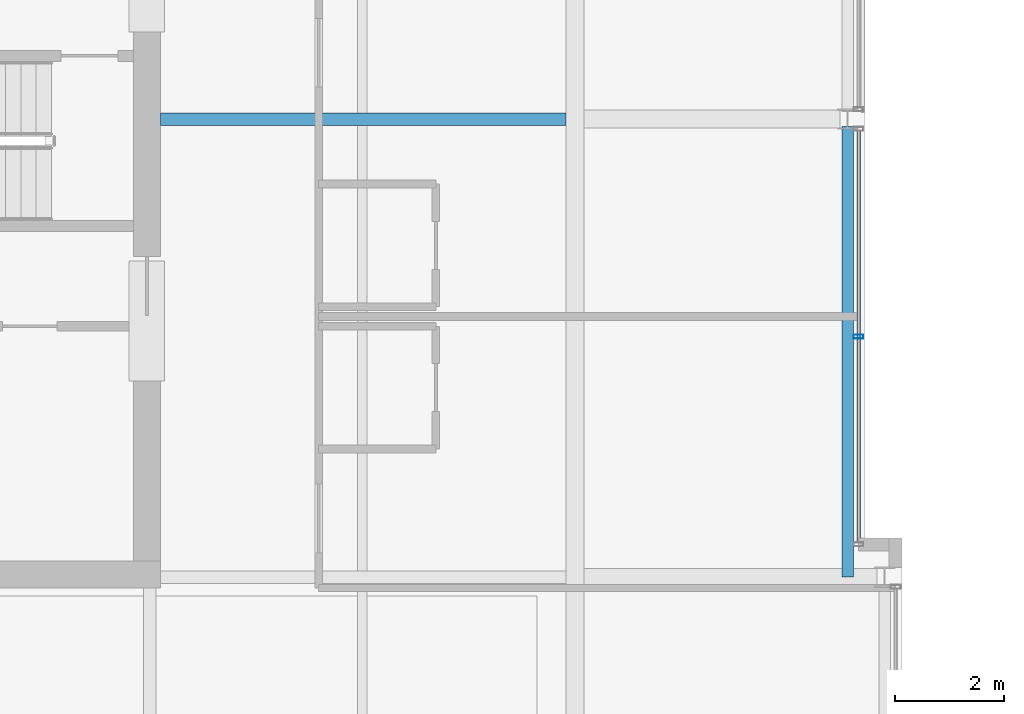
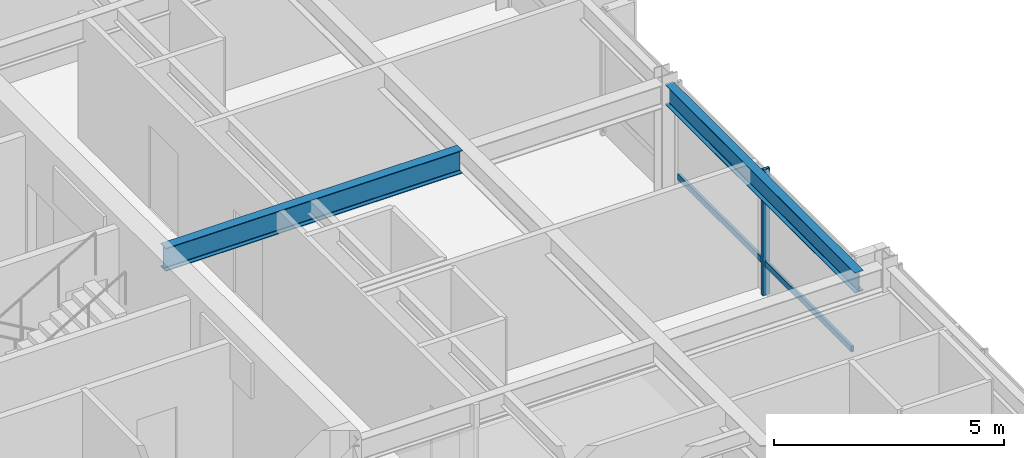
# One storey, part 15 of 33: 2 beams, 2 members, 1 element without a shape of its own.
"""IFC4 building model written with IfcOpenShell, lengths in metres."""

from ifc_helpers import new_model, si_unit, direction, frame, origin, origin_2d, place, context, subcontext, project, spatial, hollow_rectangle, i_section, extrude, material, layer, layer_set, material_profile, profile_set, type_object, element, aggregate, save


model = new_model("IFC4")

# Units and contexts
model_context = context("Model", 3, precision=1e-05, world=origin(), true_north=direction((0.0, 1.0)))
body_context = subcontext(model_context, "Body", "Model", "MODEL_VIEW")
ifc_project = project(units=[si_unit("LENGTHUNIT", "METRE"), si_unit("AREAUNIT", "SQUARE_METRE"), si_unit("VOLUMEUNIT", "CUBIC_METRE"), si_unit("PLANEANGLEUNIT", "RADIAN"), si_unit("MASSUNIT", "GRAM", prefix="KILO")], contexts=[model_context])

# Site, building, storey
site_placement = place(None, origin())
site = spatial("IfcSite", under=ifc_project, at=site_placement, CompositionType="ELEMENT")
building_placement = place(site_placement, origin())
building = spatial("IfcBuilding", under=site, at=building_placement, Name="Drelvath Grand Hotel", CompositionType="ELEMENT")
storey_placement = place(building_placement, frame((0.0, 0.0, 248.300048828125)))
storey = spatial("IfcBuildingStorey", under=building, at=storey_placement, Name="L65", CompositionType="ELEMENT", Elevation=248.300048828125)

# Curtain wall, members
ifc_material_1 = material(Name="Platinum-Mist Anodised Aluminium Frame", Category="aluminium")
ifc_layer = layer(ifc_material_1, 0.199951171875)
ifc_layer_set = layer_set([ifc_layer], Name="Platinum-Mist Anodised Aluminium Frame")
curtain_wall_type = type_object("IfcCurtainWallType", Name="Stick Curtain Wall CW-05 Platinum Mist High-Rise", PredefinedType="NOTDEFINED", material=ifc_layer_set)
curtain_wall_placement = place(storey_placement, origin())
curtain_wall = element("IfcCurtainWall", 1, at=curtain_wall_placement, inside=storey, type_object=curtain_wall_type, Name="L65 CW-05 Curtain Wall CW05-L65-EM1", PredefinedType="NOTDEFINED")
ifc_material_profile_1 = material_profile(ifc_material_1, hollow_rectangle(XDim=0.06494140625, YDim=0.159912109375, WallThickness=0.00390625, at=origin_2d()), Name="HSS160X65X4")
ifc_profile_set_1 = profile_set([ifc_material_profile_1], Name="Platinum-Mist Anodised Aluminium Frame")
member_type_1 = type_object("IfcMemberType", Name="Curtain Wall Horizontal Transom CW-05 HSS160X65X4", PredefinedType="USERDEFINED", material=ifc_profile_set_1)
member_1_placement = place(storey_placement, frame((21.39990234375, 26.78173828125, 0.8349609375), z_axis=(0.0, -1.0, 0.0), x_axis=(1.0, 0.0, 0.0)))
member_1 = element("IfcMember", 2, at=member_1_placement, type_object=member_type_1, Name="CW05-L65-EM1 Sill Transom", ObjectType="TRANSOM", PredefinedType="USERDEFINED", context=body_context, shape_type="SweptSolid", body=[
    extrude(hollow_rectangle(XDim=0.06494140625, YDim=0.159912109375, WallThickness=0.00390625, at=origin_2d()), origin(), (0.0, 0.0, 1.0), 7.541748046875),
])
ifc_material_profile_2 = material_profile(ifc_material_1, hollow_rectangle(XDim=0.074951171875, YDim=0.179931640625, WallThickness=0.0048828125, at=origin_2d()), Name="HSS180X75X5")
ifc_profile_set_2 = profile_set([ifc_material_profile_2], Name="Platinum-Mist Anodised Aluminium Frame")
member_type_2 = type_object("IfcMemberType", Name="Curtain Wall Vertical Mullion CW-05 HSS180X75X5", PredefinedType="MULLION", material=ifc_profile_set_2)
member_2_placement = place(storey_placement, frame((21.39990234375, 23.010986328125, 0.0), z_axis=(0.0, 0.0, 1.0), x_axis=(0.0, 1.0, 0.0)))
member_2 = element("IfcMember", 3, at=member_2_placement, type_object=member_type_2, Name="CW05-L65-EM1 Mullion 2", PredefinedType="MULLION", context=body_context, shape_type="SweptSolid", body=[
    extrude(hollow_rectangle(XDim=0.074951171875, YDim=0.179931640625, WallThickness=0.0048828125, at=origin_2d()), origin(), (0.0, 0.0, 1.0), 3.33984375),
])
aggregate(curtain_wall, [member_2, member_1])

# Beams
ifc_material_2 = material(Name="Steel ASTM A992 Gr 50", Category="steel")
ifc_material_profile_3 = material_profile(ifc_material_2, i_section(OverallWidth=0.210205078125, OverallDepth=0.53662109375, WebThickness=0.010986328125, FlangeThickness=0.017333984375, FilletRadius=0.01806640625, at=origin_2d()), Name="W21X68")
ifc_profile_set_3 = profile_set([ifc_material_profile_3], Name="Steel ASTM A992 Gr 50")
beam_type_1 = type_object("IfcBeamType", Name="Perimeter Spandrel Beam W21X68", PredefinedType="SPANDREL", material=ifc_profile_set_3)
beam_1_placement = place(storey_placement, frame((21.199951171875, 18.60009765625, 3.071533203125), z_axis=(0.0, 1.0, 0.0), x_axis=(-1.0, 0.0, 0.0)))
element("IfcBeam", 4, at=beam_1_placement, inside=storey, type_object=beam_type_1, Name="L65 Spandrel East Mid S", PredefinedType="SPANDREL", context=body_context, shape_type="SweptSolid", body=[
    extrude(i_section(OverallWidth=0.210205078125, OverallDepth=0.53662109375, WebThickness=0.010986328125, FlangeThickness=0.017333984375, FilletRadius=0.01806640625, at=origin_2d()), origin(), (0.0, 0.0, 1.0), 8.260009765625),
])
ifc_material_profile_4 = material_profile(ifc_material_2, i_section(OverallWidth=0.228271484375, OverallDepth=0.607666015625, WebThickness=0.01123046875, FlangeThickness=0.017333984375, FilletRadius=0.02001953125, at=origin_2d()), Name="W24X76")
ifc_profile_set_4 = profile_set([ifc_material_profile_4], Name="Steel ASTM A992 Gr 50")
beam_type_2 = type_object("IfcBeamType", Name="Primary Floor Girder W24X76", PredefinedType="BEAM", material=ifc_profile_set_4)
beam_2_placement = place(storey_placement, frame((8.60009765625, 27.0, 3.0361328125), z_axis=(1.0, 0.0, 0.0), x_axis=(0.0, 1.0, 0.0)))
element("IfcBeam", 5, at=beam_2_placement, inside=storey, type_object=beam_type_2, Name="L65 East Core Tie E", PredefinedType="BEAM", context=body_context, shape_type="SweptSolid", body=[
    extrude(i_section(OverallWidth=0.228271484375, OverallDepth=0.607666015625, WebThickness=0.01123046875, FlangeThickness=0.017333984375, FilletRadius=0.02001953125, at=origin_2d()), origin(), (0.0, 0.0, 1.0), 7.43798828125),
])

save(model, "model.ifc")
